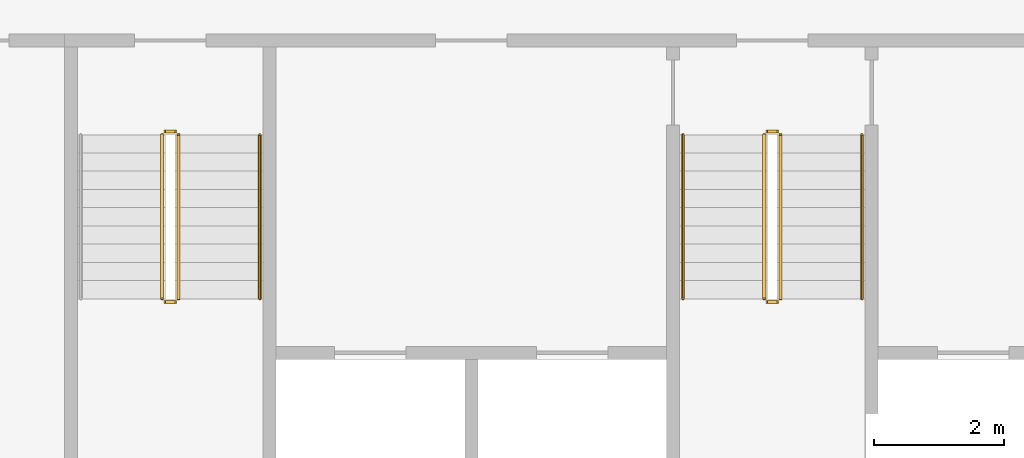
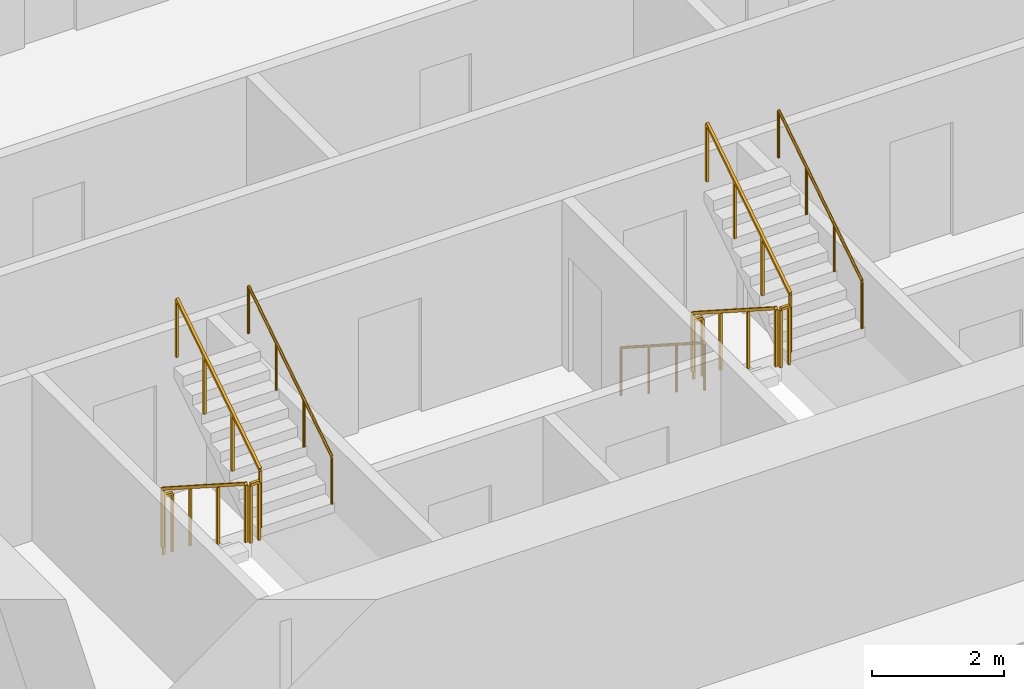
# One storey, part 13 of 15: 11 railings.
"""IFC4 building model written with IfcOpenShell, lengths in metres."""

from ifc_helpers import new_model, si_unit, direction, frame, origin, origin_2d, place, context, subcontext, project, spatial, rectangle, circle, extrude, material, type_object, element, save


model = new_model("IFC4")

# Units and contexts
model_context = context("Model", 3, precision=1e-05, world=origin(), true_north=direction((0.0, 1.0)))
body_context = subcontext(model_context, "Body", "Model", "MODEL_VIEW")
ifc_project = project(units=[si_unit("LENGTHUNIT", "METRE"), si_unit("AREAUNIT", "SQUARE_METRE"), si_unit("VOLUMEUNIT", "CUBIC_METRE"), si_unit("PLANEANGLEUNIT", "RADIAN"), si_unit("MASSUNIT", "GRAM", prefix="KILO")], contexts=[model_context])

# Site, building, storey
site_placement = place(None, origin())
site = spatial("IfcSite", under=ifc_project, at=site_placement, CompositionType="ELEMENT")
building_placement = place(site_placement, origin())
building = spatial("IfcBuilding", under=site, at=building_placement, Name="Mangrove Gate Tower", CompositionType="ELEMENT")
storey_placement = place(building_placement, frame((0.0, 0.0, 156.300048828125)))
storey = spatial("IfcBuildingStorey", under=building, at=storey_placement, Name="L39", CompositionType="ELEMENT", Elevation=156.300048828125)

# Railings
ifc_material_1 = material(Name="Stainless steel 316", Category="steel")
railing_type_1 = type_object("IfcRailingType", Name="Core stair guard 1100", PredefinedType="GUARDRAIL", material=ifc_material_1)
railing_1_placement = place(storey_placement, frame((-9.39990234375, -4.64990234375, 0.179931640625)))
element("IfcRailing", 1, at=railing_1_placement, inside=storey, type_object=railing_type_1, Name="L39 ST1 stair guard 1", PredefinedType="GUARDRAIL", context=body_context, shape_type="SweptSolid", body=[
    extrude(rectangle(XDim=0.048095703125, YDim=0.048095703125, at=origin_2d()), frame((0.0, 0.0, 1.076171875), z_axis=(0.0, -0.841162588446, 0.540782303519), x_axis=(1.0, 0.0, 0.0)), (0.0, 0.0, 1.0), 2.995849609375),
    extrude(rectangle(XDim=0.0419921875, YDim=0.0419921875, at=origin_2d()), origin(), (0.0, 0.0, 1.0), 1.052001953125),
    extrude(rectangle(XDim=0.0419921875, YDim=0.0419921875, at=origin_2d()), frame((0.0, -0.840087890625, 0.5400390625)), (0.0, 0.0, 1.0), 1.052001953125),
    extrude(rectangle(XDim=0.0419921875, YDim=0.0419921875, at=origin_2d()), frame((0.0, -1.679931640625, 1.080078125)), (0.0, 0.0, 1.0), 1.052001953125),
    extrude(rectangle(XDim=0.0419921875, YDim=0.0419921875, at=origin_2d()), frame((0.0, -2.52001953125, 1.6201171875)), (0.0, 0.0, 1.0), 1.052001953125),
])
railing_2_placement = place(storey_placement, frame((-9.35009765625, -7.219970703125, 1.800048828125)))
element("IfcRailing", 2, at=railing_2_placement, inside=storey, type_object=railing_type_1, Name="L39 ST1 stair guard 2", PredefinedType="GUARDRAIL", context=body_context, shape_type="SweptSolid", body=[
    extrude(rectangle(XDim=0.048095703125, YDim=0.048095703125, at=origin_2d()), frame((0.0, 0.0, 1.076171875), z_axis=(1.0, 0.0, 0.0), x_axis=(0.0, 1.0, 0.0)), (0.0, 0.0, 1.0), 0.150146484375),
    extrude(rectangle(XDim=0.0419921875, YDim=0.0419921875, at=origin_2d()), origin(), (0.0, 0.0, 1.0), 1.052001953125),
    extrude(rectangle(XDim=0.0419921875, YDim=0.0419921875, at=origin_2d()), frame((0.150146484375, 0.0, 0.0)), (0.0, 0.0, 1.0), 1.052001953125),
])
railing_3_placement = place(storey_placement, frame((-9.14990234375, -7.169921875, 1.97998046875)))
element("IfcRailing", 3, at=railing_3_placement, inside=storey, type_object=railing_type_1, Name="L39 ST1 stair guard 3", PredefinedType="GUARDRAIL", context=body_context, shape_type="SweptSolid", body=[
    extrude(rectangle(XDim=0.048095703125, YDim=0.048095703125, at=origin_2d()), frame((0.0, 0.0, 1.076171875), z_axis=(0.0, 0.841199657755, 0.540724639528), x_axis=(-1.0, 0.0, 0.0)), (0.0, 0.0, 1.0), 2.995849609375),
    extrude(rectangle(XDim=0.0419921875, YDim=0.0419921875, at=origin_2d()), origin(), (0.0, 0.0, 1.0), 1.052001953125),
    extrude(rectangle(XDim=0.0419921875, YDim=0.0419921875, at=origin_2d()), frame((0.0, 0.840087890625, 0.5400390625)), (0.0, 0.0, 1.0), 1.052001953125),
    extrude(rectangle(XDim=0.0419921875, YDim=0.0419921875, at=origin_2d()), frame((0.0, 1.679931640625, 1.079833984375)), (0.0, 0.0, 1.0), 1.052001953125),
    extrude(rectangle(XDim=0.0419921875, YDim=0.0419921875, at=origin_2d()), frame((0.0, 2.52001953125, 1.619873046875)), (0.0, 0.0, 1.0), 1.052001953125),
])
railing_4_placement = place(storey_placement, frame((-9.35009765625, -4.60009765625, 0.0)))
element("IfcRailing", 4, at=railing_4_placement, inside=storey, type_object=railing_type_1, Name="L39 ST1 stair guard 4", PredefinedType="GUARDRAIL", context=body_context, shape_type="SweptSolid", body=[
    extrude(rectangle(XDim=0.048095703125, YDim=0.048095703125, at=origin_2d()), frame((0.0, 0.0, 1.076171875), z_axis=(1.0, 0.0, 0.0), x_axis=(0.0, 1.0, 0.0)), (0.0, 0.0, 1.0), 0.150146484375),
    extrude(rectangle(XDim=0.0419921875, YDim=0.0419921875, at=origin_2d()), origin(), (0.0, 0.0, 1.0), 1.052001953125),
    extrude(rectangle(XDim=0.0419921875, YDim=0.0419921875, at=origin_2d()), frame((0.150146484375, 0.0, 0.0)), (0.0, 0.0, 1.0), 1.052001953125),
])
railing_5_placement = place(storey_placement, frame((-0.14990234375, -4.64990234375, 0.179931640625)))
element("IfcRailing", 5, at=railing_5_placement, inside=storey, type_object=railing_type_1, Name="L39 ST2 stair guard 1", PredefinedType="GUARDRAIL", context=body_context, shape_type="SweptSolid", body=[
    extrude(rectangle(XDim=0.048095703125, YDim=0.048095703125, at=origin_2d()), frame((0.0, 0.0, 1.076171875), z_axis=(0.0, -0.841162588446, 0.540782303519), x_axis=(1.0, 0.0, 0.0)), (0.0, 0.0, 1.0), 2.995849609375),
    extrude(rectangle(XDim=0.0419921875, YDim=0.0419921875, at=origin_2d()), origin(), (0.0, 0.0, 1.0), 1.052001953125),
    extrude(rectangle(XDim=0.0419921875, YDim=0.0419921875, at=origin_2d()), frame((0.0, -0.840087890625, 0.5400390625)), (0.0, 0.0, 1.0), 1.052001953125),
    extrude(rectangle(XDim=0.0419921875, YDim=0.0419921875, at=origin_2d()), frame((0.0, -1.679931640625, 1.080078125)), (0.0, 0.0, 1.0), 1.052001953125),
    extrude(rectangle(XDim=0.0419921875, YDim=0.0419921875, at=origin_2d()), frame((0.0, -2.52001953125, 1.6201171875)), (0.0, 0.0, 1.0), 1.052001953125),
])
railing_6_placement = place(storey_placement, frame((-0.10009765625, -7.219970703125, 1.800048828125)))
element("IfcRailing", 6, at=railing_6_placement, inside=storey, type_object=railing_type_1, Name="L39 ST2 stair guard 2", PredefinedType="GUARDRAIL", context=body_context, shape_type="SweptSolid", body=[
    extrude(rectangle(XDim=0.048095703125, YDim=0.048095703125, at=origin_2d()), frame((0.0, 0.0, 1.076171875), z_axis=(1.0, 0.0, 0.0), x_axis=(0.0, 1.0, 0.0)), (0.0, 0.0, 1.0), 0.150146484375),
    extrude(rectangle(XDim=0.0419921875, YDim=0.0419921875, at=origin_2d()), origin(), (0.0, 0.0, 1.0), 1.052001953125),
    extrude(rectangle(XDim=0.0419921875, YDim=0.0419921875, at=origin_2d()), frame((0.150146484375, 0.0, 0.0)), (0.0, 0.0, 1.0), 1.052001953125),
])
railing_7_placement = place(storey_placement, frame((0.10009765625, -7.169921875, 1.97998046875)))
element("IfcRailing", 7, at=railing_7_placement, inside=storey, type_object=railing_type_1, Name="L39 ST2 stair guard 3", PredefinedType="GUARDRAIL", context=body_context, shape_type="SweptSolid", body=[
    extrude(rectangle(XDim=0.048095703125, YDim=0.048095703125, at=origin_2d()), frame((0.0, 0.0, 1.076171875), z_axis=(0.0, 0.841199657755, 0.540724639528), x_axis=(-1.0, 0.0, 0.0)), (0.0, 0.0, 1.0), 2.995849609375),
    extrude(rectangle(XDim=0.0419921875, YDim=0.0419921875, at=origin_2d()), origin(), (0.0, 0.0, 1.0), 1.052001953125),
    extrude(rectangle(XDim=0.0419921875, YDim=0.0419921875, at=origin_2d()), frame((0.0, 0.840087890625, 0.5400390625)), (0.0, 0.0, 1.0), 1.052001953125),
    extrude(rectangle(XDim=0.0419921875, YDim=0.0419921875, at=origin_2d()), frame((0.0, 1.679931640625, 1.079833984375)), (0.0, 0.0, 1.0), 1.052001953125),
    extrude(rectangle(XDim=0.0419921875, YDim=0.0419921875, at=origin_2d()), frame((0.0, 2.52001953125, 1.619873046875)), (0.0, 0.0, 1.0), 1.052001953125),
])
railing_8_placement = place(storey_placement, frame((-0.10009765625, -4.60009765625, 0.0)))
element("IfcRailing", 8, at=railing_8_placement, inside=storey, type_object=railing_type_1, Name="L39 ST2 stair guard 4", PredefinedType="GUARDRAIL", context=body_context, shape_type="SweptSolid", body=[
    extrude(rectangle(XDim=0.048095703125, YDim=0.048095703125, at=origin_2d()), frame((0.0, 0.0, 1.076171875), z_axis=(1.0, 0.0, 0.0), x_axis=(0.0, 1.0, 0.0)), (0.0, 0.0, 1.0), 0.150146484375),
    extrude(rectangle(XDim=0.0419921875, YDim=0.0419921875, at=origin_2d()), origin(), (0.0, 0.0, 1.0), 1.052001953125),
    extrude(rectangle(XDim=0.0419921875, YDim=0.0419921875, at=origin_2d()), frame((0.150146484375, 0.0, 0.0)), (0.0, 0.0, 1.0), 1.052001953125),
])
ifc_material_2 = material(Name="Stainless steel 316", Category="steel")
railing_type_2 = type_object("IfcRailingType", Name="Core stair handrail 900", PredefinedType="HANDRAIL", material=ifc_material_2)
railing_9_placement = place(storey_placement, frame((-7.89990234375, -7.169921875, 1.97998046875)))
element("IfcRailing", 9, at=railing_9_placement, inside=storey, type_object=railing_type_2, Name="L39 ST1 stair handrail 2", PredefinedType="HANDRAIL", context=body_context, shape_type="SweptSolid", body=[
    extrude(circle(Radius=0.02392578125, at=origin_2d()), frame((0.0, 0.0, 0.8759765625), z_axis=(0.0, 0.841199657755, 0.540724639528), x_axis=(-1.0, 0.0, 0.0)), (0.0, 0.0, 1.0), 2.995849609375),
    extrude(circle(Radius=0.02099609375, at=origin_2d()), origin(), (0.0, 0.0, 1.0), 0.851806640625),
    extrude(circle(Radius=0.02099609375, at=origin_2d()), frame((0.0, 0.840087890625, 0.5400390625)), (0.0, 0.0, 1.0), 0.851806640625),
    extrude(circle(Radius=0.02099609375, at=origin_2d()), frame((0.0, 1.679931640625, 1.079833984375)), (0.0, 0.0, 1.0), 0.851806640625),
    extrude(circle(Radius=0.02099609375, at=origin_2d()), frame((0.0, 2.52001953125, 1.619873046875)), (0.0, 0.0, 1.0), 0.851806640625),
])
railing_10_placement = place(storey_placement, frame((-1.39990234375, -4.64990234375, 0.179931640625)))
element("IfcRailing", 10, at=railing_10_placement, inside=storey, type_object=railing_type_2, Name="L39 ST2 stair handrail 1", PredefinedType="HANDRAIL", context=body_context, shape_type="SweptSolid", body=[
    extrude(circle(Radius=0.02392578125, at=origin_2d()), frame((0.0, 0.0, 0.8759765625), z_axis=(0.0, -0.841162588446, 0.540782303519), x_axis=(1.0, 0.0, 0.0)), (0.0, 0.0, 1.0), 2.995849609375),
    extrude(circle(Radius=0.02099609375, at=origin_2d()), origin(), (0.0, 0.0, 1.0), 0.851806640625),
    extrude(circle(Radius=0.02099609375, at=origin_2d()), frame((0.0, -0.840087890625, 0.5400390625)), (0.0, 0.0, 1.0), 0.851806640625),
    extrude(circle(Radius=0.02099609375, at=origin_2d()), frame((0.0, -1.679931640625, 1.080078125)), (0.0, 0.0, 1.0), 0.851806640625),
    extrude(circle(Radius=0.02099609375, at=origin_2d()), frame((0.0, -2.52001953125, 1.6201171875)), (0.0, 0.0, 1.0), 0.851806640625),
])
railing_11_placement = place(storey_placement, frame((1.35009765625, -7.169921875, 1.97998046875)))
element("IfcRailing", 11, at=railing_11_placement, inside=storey, type_object=railing_type_2, Name="L39 ST2 stair handrail 2", PredefinedType="HANDRAIL", context=body_context, shape_type="SweptSolid", body=[
    extrude(circle(Radius=0.02392578125, at=origin_2d()), frame((0.0, 0.0, 0.8759765625), z_axis=(0.0, 0.841199657755, 0.540724639528), x_axis=(-1.0, 0.0, 0.0)), (0.0, 0.0, 1.0), 2.995849609375),
    extrude(circle(Radius=0.02099609375, at=origin_2d()), origin(), (0.0, 0.0, 1.0), 0.851806640625),
    extrude(circle(Radius=0.02099609375, at=origin_2d()), frame((0.0, 0.840087890625, 0.5400390625)), (0.0, 0.0, 1.0), 0.851806640625),
    extrude(circle(Radius=0.02099609375, at=origin_2d()), frame((0.0, 1.679931640625, 1.079833984375)), (0.0, 0.0, 1.0), 0.851806640625),
    extrude(circle(Radius=0.02099609375, at=origin_2d()), frame((0.0, 2.52001953125, 1.619873046875)), (0.0, 0.0, 1.0), 0.851806640625),
])

save(model, "model.ifc")
